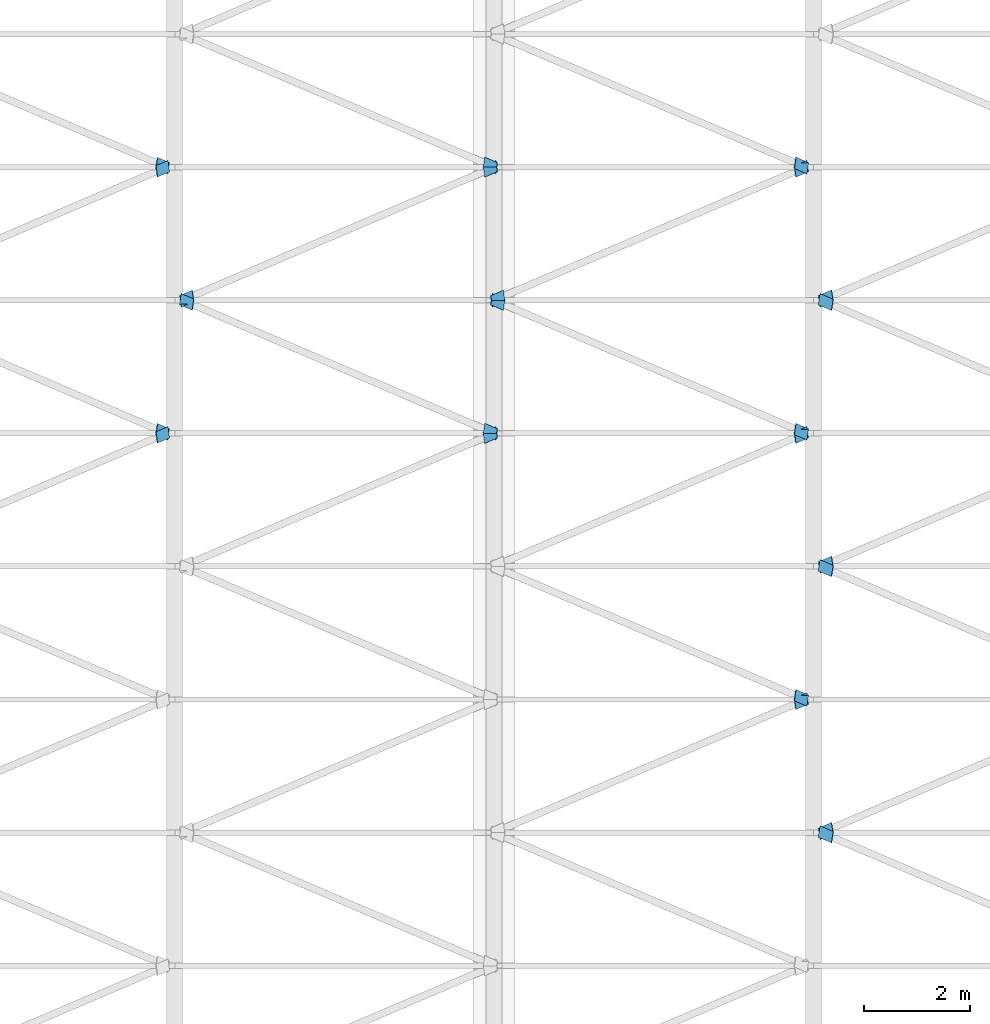
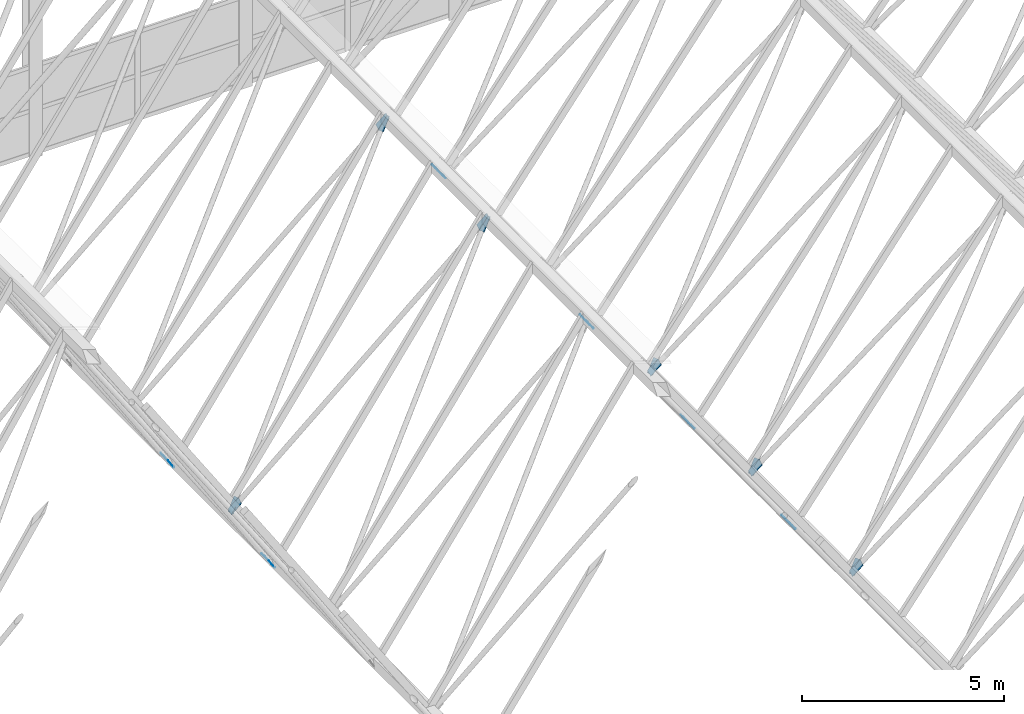
# One storey, part 420 of 483: 24 discrete accessories.
"""IFC4 building model written with IfcOpenShell, lengths in metres."""

import ifcopenshell
import ifcopenshell.guid

model = None  # the IFC model being written
_history = None  # IfcOwnerHistory: only IFC2X3 demands one
_inside = {}  # id of a spatial element -> (the spatial element, [elements in it])
_under = {}  # id of a project, library or spatial element -> (it, [spatial elements below it])
_declared = {}  # id of a project -> (the project, [libraries it declares])
_typed = {}  # id of a type object -> (the type object, [elements of that type])
_made_of = {}  # id of a material, layer set ... -> (it, [elements and type objects made of it])


def new_model(schema):
    """Start an empty IFC model of exactly this schema.

    Asked for "IFC4X3", IfcOpenShell would pick the latest addendum, in which some entities
    have other attributes; the version numbers below select the first issue.
    IFC2X3 requires an IfcOwnerHistory on every rooted entity: one is made here for all.
    """
    global model, _history
    if schema == "IFC4X3":
        model = ifcopenshell.file(schema_version=(4, 3, 0, 0))
    else:
        model = ifcopenshell.file(schema=schema)
    _inside.clear()
    _under.clear()
    _declared.clear()
    _typed.clear()
    _made_of.clear()
    _history = None
    if model.schema == "IFC2X3":
        org = make("IfcOrganization", Name="unknown")
        user = make(
            "IfcPersonAndOrganization",
            ThePerson=make("IfcPerson", FamilyName="unknown"),
            TheOrganization=org,
        )
        app = make(
            "IfcApplication",
            ApplicationDeveloper=org,
            Version="unknown",
            ApplicationFullName="unknown",
            ApplicationIdentifier="unknown",
        )
        _history = make(
            "IfcOwnerHistory",
            OwningUser=user,
            OwningApplication=app,
            ChangeAction="ADDED",
            CreationDate=0,
        )
    return model


def make(cls, **values):
    """One entity of the class cls with the attributes given. An attribute that is None is left unset."""
    return model.create_entity(
        cls, **{name: value for name, value in values.items() if value is not None}
    )


def rooted(cls, **values):
    """An entity with a GlobalId (a new one), such as an element, a storey or a relation."""
    return make(cls, GlobalId=ifcopenshell.guid.new(), OwnerHistory=_history, **values)


def si_unit(unit_type, name, prefix=None):
    """IfcSIUnit, for example si_unit("LENGTHUNIT", "METRE", prefix="MILLI")."""
    return make("IfcSIUnit", UnitType=unit_type, Prefix=prefix, Name=name)


def assignment(units):
    """IfcUnitAssignment: the units of a project."""
    return None if units is None else make("IfcUnitAssignment", Units=units)


def point(xyz):
    """IfcCartesianPoint."""
    return None if xyz is None else make("IfcCartesianPoint", Coordinates=xyz)


def direction(xyz):
    """IfcDirection."""
    return None if xyz is None else make("IfcDirection", DirectionRatios=xyz)


def frame(location, z_axis=None, x_axis=None):
    """IfcAxis2Placement3D, a coordinate frame: its origin and axes. An axis left out is left unset."""
    return make(
        "IfcAxis2Placement3D",
        Location=point(location),
        Axis=direction(z_axis),
        RefDirection=direction(x_axis),
    )


def origin():
    """The frame at (0, 0, 0) with its axes left unset."""
    return frame((0.0, 0.0, 0.0))


def place(relative_to, where):
    """IfcLocalPlacement: puts the frame where relative to a parent placement (None: the world)."""
    return make(
        "IfcLocalPlacement", PlacementRelTo=relative_to, RelativePlacement=where
    )


def context(
    kind, dimensions, precision=None, world=None, true_north=None, identifier=None
):
    """IfcGeometricRepresentationContext, for example the 3D "Model" context."""
    return make(
        "IfcGeometricRepresentationContext",
        ContextIdentifier=identifier,
        ContextType=kind,
        CoordinateSpaceDimension=dimensions,
        Precision=precision,
        WorldCoordinateSystem=world,
        TrueNorth=true_north,
    )


def subcontext(parent, identifier, kind, view, scale=None):
    """IfcGeometricRepresentationSubContext, for example "Body" below "Model"."""
    return make(
        "IfcGeometricRepresentationSubContext",
        ContextIdentifier=identifier,
        ContextType=kind,
        ParentContext=parent,
        TargetScale=scale,
        TargetView=view,
    )


def project(units=None, contexts=None):
    """IfcProject with its units and contexts."""
    return rooted(
        "IfcProject",
        Name="project",
        RepresentationContexts=contexts,
        UnitsInContext=assignment(units),
    )


def spatial(cls, under=None, at=None, **own):
    """A site, building, storey or space (cls), placed at a placement, below another one or the project."""
    s = rooted(cls, ObjectPlacement=at, **own)
    if under is not None:
        _under.setdefault(under.id(), (under, []))[1].append(s)
    return s


def polyline(points):
    """IfcPolyline through the points."""
    return make("IfcPolyline", Points=[point(p) for p in points])


def outline(outer, holes=None, kind="AREA"):
    """IfcArbitraryClosedProfileDef: a profile drawn as a closed curve; with holes, ...WithVoids."""
    if holes is None:
        return make("IfcArbitraryClosedProfileDef", ProfileType=kind, OuterCurve=outer)
    return make(
        "IfcArbitraryProfileDefWithVoids",
        ProfileType=kind,
        OuterCurve=outer,
        InnerCurves=holes,
    )


def extrude(swept, where, along, depth):
    """IfcExtrudedAreaSolid: the profile swept, set in the frame where, extruded along a direction by depth."""
    return make(
        "IfcExtrudedAreaSolid",
        SweptArea=swept,
        Position=where,
        ExtrudedDirection=direction(along),
        Depth=depth,
    )


def shape(context_of_items, identifier, shape_type, items):
    """IfcShapeRepresentation: the items that make up one representation, for example the "Body"."""
    return make(
        "IfcShapeRepresentation",
        ContextOfItems=context_of_items,
        RepresentationIdentifier=identifier,
        RepresentationType=shape_type,
        Items=items,
    )


def material(Name=None, Category=None):
    """IfcMaterial."""
    return make("IfcMaterial", Name=Name, Category=Category)


def layer(
    of_material, thickness, ventilated=None, Name=None, Category=None, Priority=None
):
    """IfcMaterialLayer: one layer of a wall or slab, of a material (None: an air gap)."""
    return make(
        "IfcMaterialLayer",
        Material=of_material,
        LayerThickness=thickness,
        IsVentilated=ventilated,
        Name=Name,
        Category=Category,
        Priority=Priority,
    )


def layer_set(layers, Name=None):
    """IfcMaterialLayerSet."""
    return make("IfcMaterialLayerSet", MaterialLayers=layers, LayerSetName=Name)


def made_of(thing, what):
    """Note that an element or type object is made of a material, layer set ...; save() writes the relation."""
    if what is not None:
        _made_of.setdefault(what.id(), (what, []))[1].append(thing)
    return thing


def type_object(cls, material=None, **own):
    """A type object (cls), such as IfcWallType, which elements share."""
    return made_of(rooted(cls, **own), material)


def element(
    cls,
    number,
    at=None,
    inside=None,
    cuts=None,
    type_object=None,
    material=None,
    context=None,
    identifier="Body",
    shape_type=None,
    held_by="IfcProductDefinitionShape",
    body=None,
    shapes=None,
    **own,
):
    """One element of the class cls, such as IfcWall. Its Tag is "e" and its number.

    at: its placement. inside: the storey or other place that contains it. cuts: it is an
    opening in that element (IfcRelVoidsElement). A single representation is given by context,
    identifier, shape_type and body (its items); several are given by shapes. held_by: the class
    of the entity that holds the representations. save() writes the other relations.
    """
    e = rooted(cls, Tag="e%d" % number, ObjectPlacement=at, **own)
    if body is not None:
        shapes = [shape(context, identifier, shape_type, body)]
    if shapes is not None:
        e.Representation = make(held_by, Representations=shapes)
    if inside is not None:
        _inside.setdefault(inside.id(), (inside, []))[1].append(e)
    if cuts is not None:
        rooted(
            "IfcRelVoidsElement", RelatingBuildingElement=cuts, RelatedOpeningElement=e
        )
    if type_object is not None:
        _typed.setdefault(type_object.id(), (type_object, []))[1].append(e)
    return made_of(e, material)


def aggregate(whole, parts):
    """IfcRelAggregates: a whole, such as a stair, and the parts it consists of."""
    return rooted("IfcRelAggregates", RelatingObject=whole, RelatedObjects=parts)


def save(model, path):
    """Write the relations noted so far, then the file.

    IfcRelAggregates (storeys below a building ...), IfcRelContainedInSpatialStructure (elements
    in a storey), IfcRelDefinesByType, IfcRelAssociatesMaterial and IfcRelDeclares: one each for
    every whole, place, type object, material and project.
    """
    for whole, parts in _under.values():
        aggregate(whole, parts)
    for where, things in _inside.values():
        rooted(
            "IfcRelContainedInSpatialStructure",
            RelatedElements=things,
            RelatingStructure=where,
        )
    for kind, things in _typed.values():
        rooted("IfcRelDefinesByType", RelatedObjects=things, RelatingType=kind)
    for what, things in _made_of.values():
        rooted("IfcRelAssociatesMaterial", RelatedObjects=things, RelatingMaterial=what)
    for by, libraries in _declared.values():
        rooted("IfcRelDeclares", RelatingContext=by, RelatedDefinitions=libraries)
    model.write(path)


model = new_model("IFC4")

# Units and contexts
model_context = context("Model", 3, precision=1e-05, world=origin(), true_north=direction((0.0, 1.0)))
body_context = subcontext(model_context, "Body", "Model", "MODEL_VIEW")
ifc_project = project(units=[si_unit("LENGTHUNIT", "METRE"), si_unit("AREAUNIT", "SQUARE_METRE"), si_unit("VOLUMEUNIT", "CUBIC_METRE"), si_unit("PLANEANGLEUNIT", "RADIAN"), si_unit("MASSUNIT", "GRAM", prefix="KILO")], contexts=[model_context])

# Site, building, storey
site_placement = place(None, origin())
site = spatial("IfcSite", under=ifc_project, at=site_placement, CompositionType="ELEMENT")
building_placement = place(site_placement, origin())
building = spatial("IfcBuilding", under=site, at=building_placement, Name="Parallax Yard Mobility Hub", CompositionType="ELEMENT")
storey_placement = place(building_placement, frame((0.0, 0.0, 13.199951171875)))
storey = spatial("IfcBuildingStorey", under=building, at=storey_placement, Name="L04", CompositionType="ELEMENT", Elevation=13.199951171875)

# Discrete accessories
ifc_material = material(Name="Steel ASTM A36", Category="steel")
ifc_layer = layer(ifc_material, 0.011962890625)
ifc_layer_set = layer_set([ifc_layer], Name="Gusset plate PL12")
discrete_accessory_type = type_object("IfcDiscreteAccessoryType", Name="Gusset plate PL12", PredefinedType="BRACKET", material=ifc_layer_set)
discrete_accessory_1_placement = place(storey_placement, frame((69.369140625, 22.520751953125, 3.6923828125), z_axis=(-0.793746279753, -0.000395732461, 0.60824886911), x_axis=(-0.588727021511, 0.251817570299, -0.768107027328)))
element("IfcDiscreteAccessory", 1, at=discrete_accessory_1_placement, inside=storey, type_object=discrete_accessory_type, Name="Gusset plate PL12 at end 2 of Plate diagonal plate F11-F12 bay 6", PredefinedType="BRACKET", context=body_context, shape_type="SweptSolid", body=[
    extrude(outline(polyline([(0.0, 0.0), (0.41979934980703304, -4.163336342344337e-17), (0.41984097338065895, 0.2197380657558558), (-0.00010210860936022553, 0.21970074549524257), (0.0, 0.0)])), origin(), (0.0, 0.0, -1.0), 0.011962890625),
])
discrete_accessory_2_placement = place(storey_placement, frame((68.672607421875, 24.81201171875, 3.658935546875), z_axis=(0.817166710519, -0.000464958066, 0.576401206656), x_axis=(0.559680620735, 0.239755623166, -0.793268456409)))
element("IfcDiscreteAccessory", 2, at=discrete_accessory_2_placement, inside=storey, type_object=discrete_accessory_type, Name="Gusset plate PL12 at end 2 of Plate diagonal plate F10-F11 bay 7", PredefinedType="BRACKET", context=body_context, shape_type="SweptSolid", body=[
    extrude(outline(polyline([(0.0, 0.0), (0.41953539550227437, -1.3877787807814457e-17), (0.419606443774865, 0.21952041550170728), (-6.408669646303794e-05, 0.2198053309563326), (0.0, 0.0)])), origin(), (0.0, 0.0, -1.0), 0.011962890625),
])
discrete_accessory_3_placement = place(storey_placement, frame((69.335693359375, 22.69189453125, 3.6484375), z_axis=(-0.793746279753, 0.000395732461, 0.60824886911), x_axis=(-0.588740604162, -0.251731563359, -0.768124808231)))
element("IfcDiscreteAccessory", 3, at=discrete_accessory_3_placement, inside=storey, type_object=discrete_accessory_type, Name="Gusset plate PL12 at end 1 of Plate diagonal plate F11-F12 bay 7", PredefinedType="BRACKET", context=body_context, shape_type="SweptSolid", body=[
    extrude(outline(polyline([(0.0, 0.0), (0.4199430836483414, 0.0), (0.4198819319954805, 0.21973806118904854), (8.258384620210557e-05, 0.21970075370203399), (0.0, 0.0)])), origin(), (0.0, 0.0, -1.0), 0.011962890625),
])
discrete_accessory_4_placement = place(storey_placement, frame((68.642333984375, 24.974609375, 3.7021484375), z_axis=(0.817166710519, 0.000464958066, 0.576401206656), x_axis=(0.559774062579, -0.239096466815, -0.793401461065)))
element("IfcDiscreteAccessory", 4, at=discrete_accessory_4_placement, inside=storey, type_object=discrete_accessory_type, Name="Gusset plate PL12 at end 1 of Plate diagonal plate F10-F11 bay 8", PredefinedType="BRACKET", context=body_context, shape_type="SweptSolid", body=[
    extrude(outline(polyline([(0.0, 0.0), (0.41967062718625203, 1.3877787807814457e-17), (0.4197486118976303, 0.21952041314712403), (0.00021331307911515163, 0.21980523679261565), (0.0, 0.0)])), origin(), (0.0, 0.0, -1.0), 0.011962890625),
])
discrete_accessory_5_placement = place(storey_placement, frame((69.369140625, 27.520751953125, 3.6923828125), z_axis=(-0.793746279753, -0.000395732461, 0.60824886911), x_axis=(-0.588727021511, 0.251817570299, -0.768107027328)))
element("IfcDiscreteAccessory", 5, at=discrete_accessory_5_placement, inside=storey, type_object=discrete_accessory_type, Name="Gusset plate PL12 at end 2 of Plate diagonal plate F11-F12 bay 8", PredefinedType="BRACKET", context=body_context, shape_type="SweptSolid", body=[
    extrude(outline(polyline([(0.0, 0.0), (0.41979934980703304, -4.163336342344337e-17), (0.41984097338065895, 0.2197380657558558), (-0.00010210860936022553, 0.21970074549524257), (0.0, 0.0)])), origin(), (0.0, 0.0, -1.0), 0.011962890625),
])
discrete_accessory_6_placement = place(storey_placement, frame((68.672607421875, 29.81201171875, 3.658935546875), z_axis=(0.817166710519, -0.000464958066, 0.576401206656), x_axis=(0.559680620735, 0.239755623166, -0.793268456409)))
element("IfcDiscreteAccessory", 6, at=discrete_accessory_6_placement, inside=storey, type_object=discrete_accessory_type, Name="Gusset plate PL12 at end 2 of Plate diagonal plate F10-F11 bay 9", PredefinedType="BRACKET", context=body_context, shape_type="SweptSolid", body=[
    extrude(outline(polyline([(0.0, 0.0), (0.41953539550227437, -1.3877787807814457e-17), (0.419606443774865, 0.21952041550170728), (-6.408669646303794e-05, 0.2198053309563326), (0.0, 0.0)])), origin(), (0.0, 0.0, -1.0), 0.011962890625),
])
discrete_accessory_7_placement = place(storey_placement, frame((69.335693359375, 27.69189453125, 3.6484375), z_axis=(-0.793746279753, 0.000395732461, 0.60824886911), x_axis=(-0.588740604162, -0.251731563359, -0.768124808231)))
element("IfcDiscreteAccessory", 7, at=discrete_accessory_7_placement, inside=storey, type_object=discrete_accessory_type, Name="Gusset plate PL12 at end 1 of Plate diagonal plate F11-F12 bay 9", PredefinedType="BRACKET", context=body_context, shape_type="SweptSolid", body=[
    extrude(outline(polyline([(0.0, 0.0), (0.4199430836483414, 0.0), (0.4198819319954805, 0.21973806118904854), (8.258384620210557e-05, 0.21970075370203399), (0.0, 0.0)])), origin(), (0.0, 0.0, -1.0), 0.011962890625),
])
discrete_accessory_8_placement = place(storey_placement, frame((56.680419921875, 29.815673828125, 3.668212890625), z_axis=(0.837151551627, 0.000426998738, 0.546970837688), x_axis=(0.532485273624, 0.227980657615, -0.815159035481)))
element("IfcDiscreteAccessory", 8, at=discrete_accessory_8_placement, inside=storey, type_object=discrete_accessory_type, Name="Gusset plate PL12 at end 2 of Plate diagonal plate F8-F9 bay 9", PredefinedType="BRACKET", context=body_context, shape_type="SweptSolid", body=[
    extrude(outline(polyline([(0.0, 0.0), (0.41978647726953044, -1.3877787807814457e-17), (0.4197536040571519, 0.21965921045119582), (3.6138936512303266e-05, 0.21964319967298013), (0.0, 0.0)])), origin(), (0.0, 0.0, -1.0), 0.011962890625),
])
discrete_accessory_9_placement = place(storey_placement, frame((62.824951171875, 29.81201171875, 11.4501953125), z_axis=(-0.817216414757, 0.000113800611, 0.57633091059), x_axis=(0.559559267154, 0.239644913639, 0.793387510558)))
element("IfcDiscreteAccessory", 9, at=discrete_accessory_9_placement, inside=storey, type_object=discrete_accessory_type, Name="Gusset plate PL12 at end 2 of Plate diagonal plate F9-F10 bay 9", PredefinedType="BRACKET", context=body_context, shape_type="SweptSolid", body=[
    extrude(outline(polyline([(0.0, 0.0), (0.41972907319877845, -1.3877787807814457e-17), (0.41977508360439614, 0.2195204334354663), (0.00010451746461155598, 0.2197574599488595), (0.0, 0.0)])), origin(), (0.0, 0.0, -1.0), 0.011962890625),
])
discrete_accessory_10_placement = place(storey_placement, frame((68.642333984375, 29.974609375, 3.7021484375), z_axis=(0.817166710519, 0.000464958066, 0.576401206656), x_axis=(0.559774062579, -0.239096466815, -0.793401461065)))
element("IfcDiscreteAccessory", 10, at=discrete_accessory_10_placement, inside=storey, type_object=discrete_accessory_type, Name="Gusset plate PL12 at end 1 of Plate diagonal plate F10-F11 bay 10", PredefinedType="BRACKET", context=body_context, shape_type="SweptSolid", body=[
    extrude(outline(polyline([(0.0, 0.0), (0.41967062718625203, 1.3877787807814457e-17), (0.4197486118976303, 0.21952041314712403), (0.00021331307911515163, 0.21980523679261565), (0.0, 0.0)])), origin(), (0.0, 0.0, -1.0), 0.011962890625),
])
discrete_accessory_11_placement = place(storey_placement, frame((63.205322265625, 32.525390625, 11.4072265625), z_axis=(0.817216414757, 0.000113800611, 0.57633091059), x_axis=(-0.559637132998, 0.239096541355, 0.793498029791)))
element("IfcDiscreteAccessory", 11, at=discrete_accessory_11_placement, inside=storey, type_object=discrete_accessory_type, Name="Gusset plate PL12 at end 2 of Plate diagonal plate F10-F11 bay 10", PredefinedType="BRACKET", context=body_context, shape_type="SweptSolid", body=[
    extrude(outline(polyline([(0.0, 0.0), (0.41967063307510005, 0.0), (0.419748606007688, 0.2195204244093797), (1.9599753546109544e-05, 0.21975748392927294), (0.0, 0.0)])), origin(), (0.0, 0.0, -1.0), 0.011962890625),
])
discrete_accessory_12_placement = place(storey_placement, frame((69.369140625, 32.520751953125, 3.6923828125), z_axis=(-0.793746279753, -0.000395732461, 0.60824886911), x_axis=(-0.588727021511, 0.251817570299, -0.768107027328)))
element("IfcDiscreteAccessory", 12, at=discrete_accessory_12_placement, inside=storey, type_object=discrete_accessory_type, Name="Gusset plate PL12 at end 2 of Plate diagonal plate F11-F12 bay 10", PredefinedType="BRACKET", context=body_context, shape_type="SweptSolid", body=[
    extrude(outline(polyline([(0.0, 0.0), (0.41979934980703304, -4.163336342344337e-17), (0.41984097338065895, 0.2197380657558558), (-0.00010210860936022553, 0.21970074549524257), (0.0, 0.0)])), origin(), (0.0, 0.0, -1.0), 0.011962890625),
])
discrete_accessory_13_placement = place(storey_placement, frame((56.65283203125, 29.970458984375, 3.7099609375), z_axis=(0.837151551627, -0.000426998738, 0.546970837688), x_axis=(0.53248050313, -0.228017799443, -0.815151763124)))
element("IfcDiscreteAccessory", 13, at=discrete_accessory_13_placement, inside=storey, type_object=discrete_accessory_type, Name="Gusset plate PL12 at end 1 of Plate diagonal plate F8-F9 bay 10", PredefinedType="BRACKET", context=body_context, shape_type="SweptSolid", body=[
    extrude(outline(polyline([(0.0, 0.0), (0.4197174654260176, 0.0), (0.41974195939473513, 0.2196592115453762), (-4.451756936702661e-05, 0.21964319813459596), (0.0, 0.0)])), origin(), (0.0, 0.0, -1.0), 0.011962890625),
])
discrete_accessory_14_placement = place(storey_placement, frame((62.794677734375, 29.974609375, 11.4072265625), z_axis=(-0.817216414757, -0.000113800611, 0.57633091059), x_axis=(0.559637132998, -0.239096541355, 0.793498029791)))
element("IfcDiscreteAccessory", 14, at=discrete_accessory_14_placement, inside=storey, type_object=discrete_accessory_type, Name="Gusset plate PL12 at end 1 of Plate diagonal plate F9-F10 bay 10", PredefinedType="BRACKET", context=body_context, shape_type="SweptSolid", body=[
    extrude(outline(polyline([(0.0, 0.0), (0.41967063307510005, 0.0), (0.419748606007688, 0.2195204244093797), (1.9599753546109544e-05, 0.21975748392927294), (0.0, 0.0)])), origin(), (0.0, 0.0, -1.0), 0.011962890625),
])
discrete_accessory_15_placement = place(storey_placement, frame((57.357666015625, 32.525390625, 3.7021484375), z_axis=(-0.817166710519, -0.000464958066, 0.576401206656), x_axis=(-0.559774062579, 0.239096466815, -0.793401461065)))
element("IfcDiscreteAccessory", 15, at=discrete_accessory_15_placement, inside=storey, type_object=discrete_accessory_type, Name="Gusset plate PL12 at end 2 of Plate diagonal plate F9-F10 bay 10", PredefinedType="BRACKET", context=body_context, shape_type="SweptSolid", body=[
    extrude(outline(polyline([(0.0, 0.0), (0.41967062718625203, 1.3877787807814457e-17), (0.4197486118976303, 0.21952041314712403), (0.00021331307911515163, 0.21980523679261565), (0.0, 0.0)])), origin(), (0.0, 0.0, -1.0), 0.011962890625),
])
discrete_accessory_16_placement = place(storey_placement, frame((63.175048828125, 32.68798828125, 11.4501953125), z_axis=(0.817216414757, -0.000113800611, 0.57633091059), x_axis=(-0.559559267154, -0.239644913639, 0.793387510558)))
element("IfcDiscreteAccessory", 16, at=discrete_accessory_16_placement, inside=storey, type_object=discrete_accessory_type, Name="Gusset plate PL12 at end 1 of Plate diagonal plate F10-F11 bay 11", PredefinedType="BRACKET", context=body_context, shape_type="SweptSolid", body=[
    extrude(outline(polyline([(0.0, 0.0), (0.41972907319877845, -1.3877787807814457e-17), (0.41977508360439614, 0.2195204334354663), (0.00010451746461155598, 0.2197574599488595), (0.0, 0.0)])), origin(), (0.0, 0.0, -1.0), 0.011962890625),
])
discrete_accessory_17_placement = place(storey_placement, frame((68.672607421875, 34.81201171875, 3.658935546875), z_axis=(0.817166710519, -0.000464958066, 0.576401206656), x_axis=(0.559680620735, 0.239755623166, -0.793268456409)))
element("IfcDiscreteAccessory", 17, at=discrete_accessory_17_placement, inside=storey, type_object=discrete_accessory_type, Name="Gusset plate PL12 at end 2 of Plate diagonal plate F10-F11 bay 11", PredefinedType="BRACKET", context=body_context, shape_type="SweptSolid", body=[
    extrude(outline(polyline([(0.0, 0.0), (0.41953539550227437, -1.3877787807814457e-17), (0.419606443774865, 0.21952041550170728), (-6.408669646303794e-05, 0.2198053309563326), (0.0, 0.0)])), origin(), (0.0, 0.0, -1.0), 0.011962890625),
])
discrete_accessory_18_placement = place(storey_placement, frame((69.335693359375, 32.69189453125, 3.6484375), z_axis=(-0.793746279753, 0.000395732461, 0.60824886911), x_axis=(-0.588740604162, -0.251731563359, -0.768124808231)))
element("IfcDiscreteAccessory", 18, at=discrete_accessory_18_placement, inside=storey, type_object=discrete_accessory_type, Name="Gusset plate PL12 at end 1 of Plate diagonal plate F11-F12 bay 11", PredefinedType="BRACKET", context=body_context, shape_type="SweptSolid", body=[
    extrude(outline(polyline([(0.0, 0.0), (0.4199430836483414, 0.0), (0.4198819319954805, 0.21973806118904854), (8.258384620210557e-05, 0.21970075370203399), (0.0, 0.0)])), origin(), (0.0, 0.0, -1.0), 0.011962890625),
])
discrete_accessory_19_placement = place(storey_placement, frame((56.680419921875, 34.815673828125, 3.668212890625), z_axis=(0.837151551627, 0.000426998738, 0.546970837688), x_axis=(0.532485273624, 0.227980657615, -0.815159035481)))
element("IfcDiscreteAccessory", 19, at=discrete_accessory_19_placement, inside=storey, type_object=discrete_accessory_type, Name="Gusset plate PL12 at end 2 of Plate diagonal plate F8-F9 bay 11", PredefinedType="BRACKET", context=body_context, shape_type="SweptSolid", body=[
    extrude(outline(polyline([(0.0, 0.0), (0.41978647726953044, -1.3877787807814457e-17), (0.4197536040571519, 0.21965921045119582), (3.6138936512303266e-05, 0.21964319967298013), (0.0, 0.0)])), origin(), (0.0, 0.0, -1.0), 0.011962890625),
])
discrete_accessory_20_placement = place(storey_placement, frame((57.327392578125, 32.68798828125, 3.658935546875), z_axis=(-0.817166710519, 0.000464958066, 0.576401206656), x_axis=(-0.559680620735, -0.239755623166, -0.793268456409)))
element("IfcDiscreteAccessory", 20, at=discrete_accessory_20_placement, inside=storey, type_object=discrete_accessory_type, Name="Gusset plate PL12 at end 1 of Plate diagonal plate F9-F10 bay 11", PredefinedType="BRACKET", context=body_context, shape_type="SweptSolid", body=[
    extrude(outline(polyline([(0.0, 0.0), (0.41953539550227437, -1.3877787807814457e-17), (0.419606443774865, 0.21952041550170728), (-6.408669646303794e-05, 0.2198053309563326), (0.0, 0.0)])), origin(), (0.0, 0.0, -1.0), 0.011962890625),
])
discrete_accessory_21_placement = place(storey_placement, frame((62.824951171875, 34.81201171875, 11.4501953125), z_axis=(-0.817216414757, 0.000113800611, 0.57633091059), x_axis=(0.559559267154, 0.239644913639, 0.793387510558)))
element("IfcDiscreteAccessory", 21, at=discrete_accessory_21_placement, inside=storey, type_object=discrete_accessory_type, Name="Gusset plate PL12 at end 2 of Plate diagonal plate F9-F10 bay 11", PredefinedType="BRACKET", context=body_context, shape_type="SweptSolid", body=[
    extrude(outline(polyline([(0.0, 0.0), (0.41972907319877845, -1.3877787807814457e-17), (0.41977508360439614, 0.2195204334354663), (0.00010451746461155598, 0.2197574599488595), (0.0, 0.0)])), origin(), (0.0, 0.0, -1.0), 0.011962890625),
])
discrete_accessory_22_placement = place(storey_placement, frame((68.642333984375, 34.974609375, 3.7021484375), z_axis=(0.817166710519, 0.000464958066, 0.576401206656), x_axis=(0.559774062579, -0.239096466815, -0.793401461065)))
element("IfcDiscreteAccessory", 22, at=discrete_accessory_22_placement, inside=storey, type_object=discrete_accessory_type, Name="Gusset plate PL12 at end 1 of Plate diagonal plate F10-F11 bay 12", PredefinedType="BRACKET", context=body_context, shape_type="SweptSolid", body=[
    extrude(outline(polyline([(0.0, 0.0), (0.41967062718625203, 1.3877787807814457e-17), (0.4197486118976303, 0.21952041314712403), (0.00021331307911515163, 0.21980523679261565), (0.0, 0.0)])), origin(), (0.0, 0.0, -1.0), 0.011962890625),
])
discrete_accessory_23_placement = place(storey_placement, frame((56.65283203125, 34.970458984375, 3.7099609375), z_axis=(0.837151551627, -0.000426998738, 0.546970837688), x_axis=(0.53248050313, -0.228017799443, -0.815151763124)))
element("IfcDiscreteAccessory", 23, at=discrete_accessory_23_placement, inside=storey, type_object=discrete_accessory_type, Name="Gusset plate PL12 at end 1 of Plate diagonal plate F8-F9 bay 12", PredefinedType="BRACKET", context=body_context, shape_type="SweptSolid", body=[
    extrude(outline(polyline([(0.0, 0.0), (0.4197174654260176, 0.0), (0.41974195939473513, 0.2196592115453762), (-4.451756936702661e-05, 0.21964319813459596), (0.0, 0.0)])), origin(), (0.0, 0.0, -1.0), 0.011962890625),
])
discrete_accessory_24_placement = place(storey_placement, frame((62.794677734375, 34.974609375, 11.4072265625), z_axis=(-0.817216414757, -0.000113800611, 0.57633091059), x_axis=(0.559637132998, -0.239096541355, 0.793498029791)))
element("IfcDiscreteAccessory", 24, at=discrete_accessory_24_placement, inside=storey, type_object=discrete_accessory_type, Name="Gusset plate PL12 at end 1 of Plate diagonal plate F9-F10 bay 12", PredefinedType="BRACKET", context=body_context, shape_type="SweptSolid", body=[
    extrude(outline(polyline([(0.0, 0.0), (0.41967063307510005, 0.0), (0.419748606007688, 0.2195204244093797), (1.9599753546109544e-05, 0.21975748392927294), (0.0, 0.0)])), origin(), (0.0, 0.0, -1.0), 0.011962890625),
])

save(model, "model.ifc")
